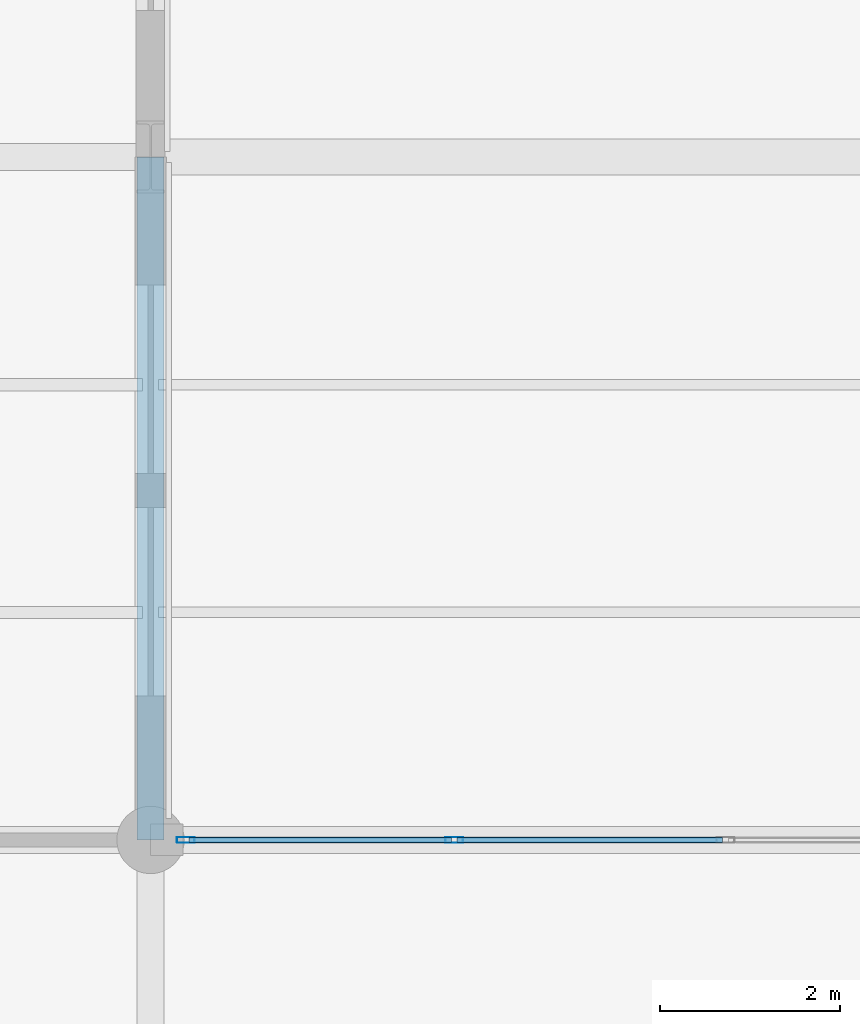
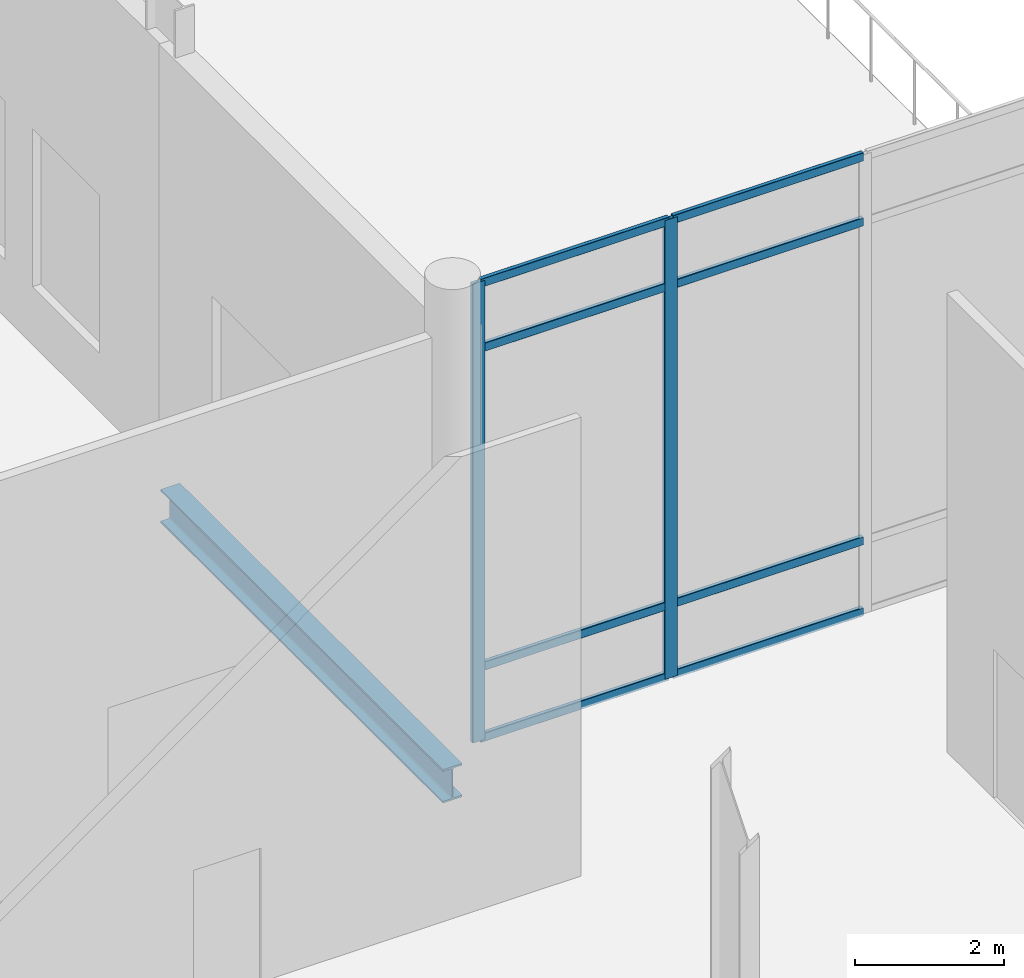
# One storey, part 85 of 176: 10 members, 1 beam, 1 element without a shape of its own.
"""IFC4 building model written with IfcOpenShell, lengths in metres."""

from ifc_helpers import new_model, si_unit, direction, frame, origin, origin_2d, place, context, subcontext, project, spatial, hollow_rectangle, i_section, extrude, material, layer, layer_set, material_profile, profile_set, type_object, element, aggregate, save


model = new_model("IFC4")

# Units and contexts
model_context = context("Model", 3, precision=1e-05, world=origin(), true_north=direction((0.0, 1.0)))
body_context = subcontext(model_context, "Body", "Model", "MODEL_VIEW")
ifc_project = project(units=[si_unit("LENGTHUNIT", "METRE"), si_unit("AREAUNIT", "SQUARE_METRE"), si_unit("VOLUMEUNIT", "CUBIC_METRE"), si_unit("PLANEANGLEUNIT", "RADIAN"), si_unit("MASSUNIT", "GRAM", prefix="KILO")], contexts=[model_context])

# Site, building, storey
site_placement = place(None, origin())
site = spatial("IfcSite", under=ifc_project, at=site_placement, CompositionType="ELEMENT")
building_placement = place(site_placement, origin())
building = spatial("IfcBuilding", under=site, at=building_placement, Name="Vekula Escarpment Museum", CompositionType="ELEMENT")
storey_placement = place(building_placement, origin())
storey = spatial("IfcBuildingStorey", under=building, at=storey_placement, Name="L01", CompositionType="ELEMENT", Elevation=0.0)

# Beam
ifc_material_1 = material(Name="Steel S355", Category="steel")
ifc_material_profile_1 = material_profile(ifc_material_1, i_section(OverallWidth=0.300048828125, OverallDepth=0.550048828125, WebThickness=0.014892578125, FlangeThickness=0.029052734375, FilletRadius=0.027099609375, at=origin_2d()), Name="HEB 550")
ifc_profile_set_1 = profile_set([ifc_material_profile_1], Name="Steel S355")
beam_type = type_object("IfcBeamType", Name="BM-GIRD-HEB550", PredefinedType="BEAM", material=ifc_profile_set_1)
beam_placement = place(storey_placement, frame((179.0, 15.199951171875, -0.574951171875), z_axis=(0.0, 1.0, 0.0), x_axis=(-1.0, 0.0, 0.0)))
element("IfcBeam", 1, at=beam_placement, inside=storey, type_object=beam_type, Name="Beam Y L01 0746", PredefinedType="BEAM", context=body_context, shape_type="SweptSolid", body=[
    extrude(i_section(OverallWidth=0.300048828125, OverallDepth=0.550048828125, WebThickness=0.014892578125, FlangeThickness=0.029052734375, FilletRadius=0.027099609375, at=origin_2d()), origin(), (0.0, 0.0, 1.0), 7.60009765625),
])

# Curtain wall, members
ifc_material_2 = material(Name="Aluminium thermally broken framing", Category="aluminium")
ifc_layer = layer(ifc_material_2, 0.179931640625)
ifc_layer_set = layer_set([ifc_layer], Name="Aluminium thermally broken framing")
curtain_wall_type = type_object("IfcCurtainWallType", Name="CW-SYS-08", PredefinedType="NOTDEFINED", material=ifc_layer_set)
curtain_wall_placement = place(storey_placement, origin())
curtain_wall = element("IfcCurtainWall", 2, at=curtain_wall_placement, inside=storey, type_object=curtain_wall_type, Name="Curtain Wall CW-L01-018", PredefinedType="NOTDEFINED")
ifc_material_3 = material(Name="Aluminium anodized mullion", Category="aluminium")
ifc_material_profile_2 = material_profile(ifc_material_3, hollow_rectangle(XDim=0.06494140625, YDim=0.199951171875, WallThickness=0.00390625, InnerFilletRadius=0.00390625, OuterFilletRadius=0.008056640625, at=origin_2d()), Name="ALU 200x65x4")
ifc_profile_set_2 = profile_set([ifc_material_profile_2], Name="Aluminium anodized mullion")
member_type_1 = type_object("IfcMemberType", Name="CW-MUL-200", PredefinedType="MULLION", material=ifc_profile_set_2)
member_1_placement = place(storey_placement, frame((182.3798828125, 15.199951171875, 0.0), z_axis=(0.0, 0.0, 1.0), x_axis=(0.0, -1.0, 0.0)))
member_1 = element("IfcMember", 3, at=member_1_placement, type_object=member_type_1, Name="CW-08 mullion 4", PredefinedType="MULLION", context=body_context, shape_type="SweptSolid", body=[
    extrude(hollow_rectangle(XDim=0.06494140625, YDim=0.199951171875, WallThickness=0.00390625, InnerFilletRadius=0.00390625, OuterFilletRadius=0.008056640625, at=origin_2d()), origin(), (0.0, 0.0, 1.0), 7.5400390625),
])
member_2_placement = place(storey_placement, frame((179.392578125, 15.199951171875, 0.0), z_axis=(0.0, 0.0, 1.0), x_axis=(0.0, -1.0, 0.0)))
member_2 = element("IfcMember", 4, at=member_2_placement, type_object=member_type_1, Name="CW-08 mullion 5", PredefinedType="MULLION", context=body_context, shape_type="SweptSolid", body=[
    extrude(hollow_rectangle(XDim=0.06494140625, YDim=0.199951171875, WallThickness=0.00390625, InnerFilletRadius=0.00390625, OuterFilletRadius=0.008056640625, at=origin_2d()), origin(), (0.0, 0.0, 1.0), 7.5400390625),
])
ifc_material_4 = material(Name="Aluminium anodized transom", Category="aluminium")
ifc_material_profile_3 = material_profile(ifc_material_4, hollow_rectangle(XDim=0.06494140625, YDim=0.139892578125, WallThickness=0.00390625, InnerFilletRadius=0.00390625, OuterFilletRadius=0.008056640625, at=origin_2d()), Name="ALU 140x65x4")
ifc_profile_set_3 = profile_set([ifc_material_profile_3], Name="Aluminium anodized transom")
member_type_2 = type_object("IfcMemberType", Name="CW-TRN-140", PredefinedType="USERDEFINED", material=ifc_profile_set_3)
member_3_placement = place(storey_placement, frame((185.367431640625, 15.199951171875, 0.032470703125), z_axis=(-1.0, 0.0, 0.0), x_axis=(0.0, -1.0, 0.0)))
member_3 = element("IfcMember", 5, at=member_3_placement, type_object=member_type_2, Name="CW-08 transom 3.1", ObjectType="TRANSOM", PredefinedType="USERDEFINED", context=body_context, shape_type="SweptSolid", body=[
    extrude(hollow_rectangle(XDim=0.06494140625, YDim=0.139892578125, WallThickness=0.00390625, InnerFilletRadius=0.00390625, OuterFilletRadius=0.008056640625, at=origin_2d()), origin(), (0.0, 0.0, 1.0), 2.954833984375),
])
member_4_placement = place(storey_placement, frame((185.367431640625, 15.199951171875, 1.199951171875), z_axis=(-1.0, 0.0, 0.0), x_axis=(0.0, -1.0, 0.0)))
member_4 = element("IfcMember", 6, at=member_4_placement, type_object=member_type_2, Name="CW-08 transom 3.2", ObjectType="TRANSOM", PredefinedType="USERDEFINED", context=body_context, shape_type="SweptSolid", body=[
    extrude(hollow_rectangle(XDim=0.06494140625, YDim=0.139892578125, WallThickness=0.00390625, InnerFilletRadius=0.00390625, OuterFilletRadius=0.008056640625, at=origin_2d()), origin(), (0.0, 0.0, 1.0), 2.954833984375),
])
member_5_placement = place(storey_placement, frame((185.367431640625, 15.199951171875, 6.43994140625), z_axis=(-1.0, 0.0, 0.0), x_axis=(0.0, -1.0, 0.0)))
member_5 = element("IfcMember", 7, at=member_5_placement, type_object=member_type_2, Name="CW-08 transom 3.3", ObjectType="TRANSOM", PredefinedType="USERDEFINED", context=body_context, shape_type="SweptSolid", body=[
    extrude(hollow_rectangle(XDim=0.06494140625, YDim=0.139892578125, WallThickness=0.00390625, InnerFilletRadius=0.00390625, OuterFilletRadius=0.008056640625, at=origin_2d()), origin(), (0.0, 0.0, 1.0), 2.954833984375),
])
member_6_placement = place(storey_placement, frame((185.367431640625, 15.199951171875, 7.507568359375), z_axis=(-1.0, 0.0, 0.0), x_axis=(0.0, -1.0, 0.0)))
member_6 = element("IfcMember", 8, at=member_6_placement, type_object=member_type_2, Name="CW-08 transom 3.4", ObjectType="TRANSOM", PredefinedType="USERDEFINED", context=body_context, shape_type="SweptSolid", body=[
    extrude(hollow_rectangle(XDim=0.06494140625, YDim=0.139892578125, WallThickness=0.00390625, InnerFilletRadius=0.00390625, OuterFilletRadius=0.008056640625, at=origin_2d()), origin(), (0.0, 0.0, 1.0), 2.954833984375),
])
member_7_placement = place(storey_placement, frame((182.347412109375, 15.199951171875, 0.032470703125), z_axis=(-1.0, 0.0, 0.0), x_axis=(0.0, -1.0, 0.0)))
member_7 = element("IfcMember", 9, at=member_7_placement, type_object=member_type_2, Name="CW-08 transom 4.1", ObjectType="TRANSOM", PredefinedType="USERDEFINED", context=body_context, shape_type="SweptSolid", body=[
    extrude(hollow_rectangle(XDim=0.06494140625, YDim=0.139892578125, WallThickness=0.00390625, InnerFilletRadius=0.00390625, OuterFilletRadius=0.008056640625, at=origin_2d()), origin(), (0.0, 0.0, 1.0), 2.92236328125),
])
member_8_placement = place(storey_placement, frame((182.347412109375, 15.199951171875, 1.199951171875), z_axis=(-1.0, 0.0, 0.0), x_axis=(0.0, -1.0, 0.0)))
member_8 = element("IfcMember", 10, at=member_8_placement, type_object=member_type_2, Name="CW-08 transom 4.2", ObjectType="TRANSOM", PredefinedType="USERDEFINED", context=body_context, shape_type="SweptSolid", body=[
    extrude(hollow_rectangle(XDim=0.06494140625, YDim=0.139892578125, WallThickness=0.00390625, InnerFilletRadius=0.00390625, OuterFilletRadius=0.008056640625, at=origin_2d()), origin(), (0.0, 0.0, 1.0), 2.92236328125),
])
member_9_placement = place(storey_placement, frame((182.347412109375, 15.199951171875, 6.43994140625), z_axis=(-1.0, 0.0, 0.0), x_axis=(0.0, -1.0, 0.0)))
member_9 = element("IfcMember", 11, at=member_9_placement, type_object=member_type_2, Name="CW-08 transom 4.3", ObjectType="TRANSOM", PredefinedType="USERDEFINED", context=body_context, shape_type="SweptSolid", body=[
    extrude(hollow_rectangle(XDim=0.06494140625, YDim=0.139892578125, WallThickness=0.00390625, InnerFilletRadius=0.00390625, OuterFilletRadius=0.008056640625, at=origin_2d()), origin(), (0.0, 0.0, 1.0), 2.92236328125),
])
member_10_placement = place(storey_placement, frame((182.347412109375, 15.199951171875, 7.507568359375), z_axis=(-1.0, 0.0, 0.0), x_axis=(0.0, -1.0, 0.0)))
member_10 = element("IfcMember", 12, at=member_10_placement, type_object=member_type_2, Name="CW-08 transom 4.4", ObjectType="TRANSOM", PredefinedType="USERDEFINED", context=body_context, shape_type="SweptSolid", body=[
    extrude(hollow_rectangle(XDim=0.06494140625, YDim=0.139892578125, WallThickness=0.00390625, InnerFilletRadius=0.00390625, OuterFilletRadius=0.008056640625, at=origin_2d()), origin(), (0.0, 0.0, 1.0), 2.92236328125),
])
aggregate(curtain_wall, [member_1, member_2, member_3, member_4, member_5, member_6, member_7, member_8, member_9, member_10])

save(model, "model.ifc")
